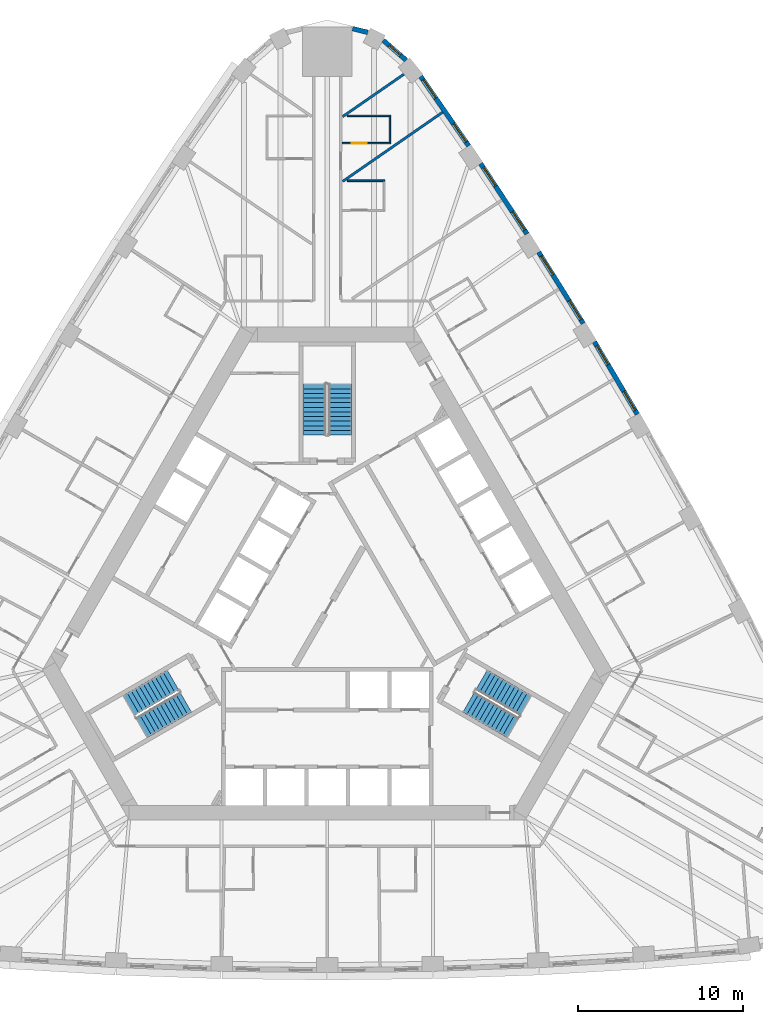
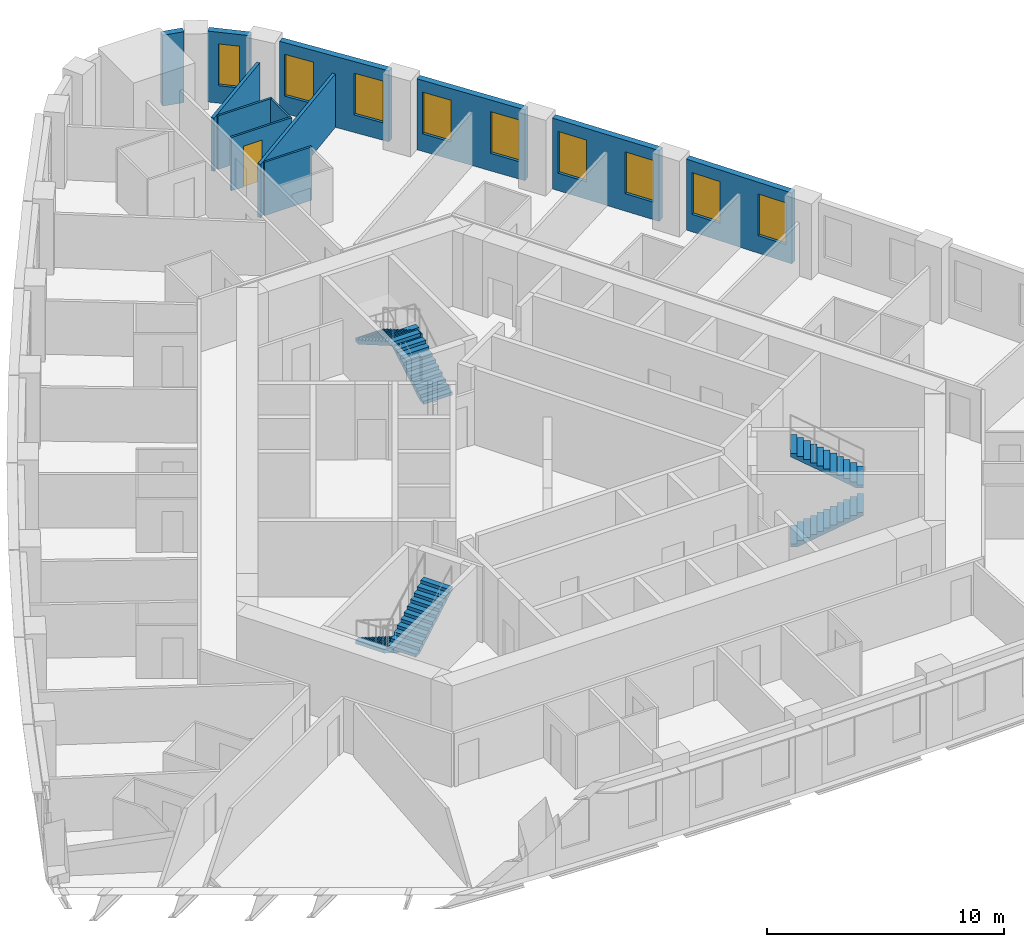
# One storey, part 11 of 12: 12 walls, 9 windows, 6 stair flights, 1 door, 10 openings, 3 elements without a shape of their own.
"""IFC4 building model written with IfcOpenShell, lengths in metres."""

from ifc_helpers import new_model, si_unit, direction, frame, frame_2d, origin, place, context, subcontext, project, spatial, polyline, rectangle, outline, extrude, material, layer, layer_set, type_object, element, fill, aggregate, save


model = new_model("IFC4")

# Units and contexts
model_context = context("Model", 3, precision=1e-05, world=origin(), true_north=direction((0.0, 1.0)))
body_context = subcontext(model_context, "Body", "Model", "MODEL_VIEW")
ifc_project = project(units=[si_unit("LENGTHUNIT", "METRE"), si_unit("AREAUNIT", "SQUARE_METRE"), si_unit("VOLUMEUNIT", "CUBIC_METRE"), si_unit("PLANEANGLEUNIT", "RADIAN"), si_unit("MASSUNIT", "GRAM", prefix="KILO")], contexts=[model_context])

# Site, building, storey
site_placement = place(None, origin())
site = spatial("IfcSite", under=ifc_project, at=site_placement, CompositionType="ELEMENT")
building_placement = place(site_placement, origin())
building = spatial("IfcBuilding", under=site, at=building_placement, Name="Mestral Congress Tower", CompositionType="ELEMENT")
storey_placement = place(building_placement, frame((0.0, 0.0, 107.10009765625)))
storey = spatial("IfcBuildingStorey", under=building, at=storey_placement, Name="L25", CompositionType="ELEMENT", Elevation=107.10009765625)

# Wall, openings, windows
ifc_material_1 = material(Name="Precast concrete C40/50 with limestone facing", Category="masonry")
ifc_layer_1 = layer(ifc_material_1, 0.2900390625)
ifc_layer_set_1 = layer_set([ifc_layer_1], Name="Precast concrete C40/50 with limestone facing")
wall_type_1 = type_object("IfcWallType", Name="Facade stone wall 290", PredefinedType="SOLIDWALL", material=ifc_layer_set_1)
wall_1_placement = place(storey_placement, frame((18.8046875, 11.611083984375, 0.0), z_axis=(0.0, 0.0, 1.0), x_axis=(-0.510054281659, 0.860142214847, 0.0)))
wall_1 = element("IfcWall", 1, at=wall_1_placement, inside=storey, type_object=wall_type_1, Name="Facade wall F1-04", PredefinedType="SOLIDWALL", context=body_context, shape_type="SweptSolid", body=[
    extrude(rectangle(XDim=5.1005859375, YDim=0.2900390625, at=frame_2d((2.55029296875, 0.0))), origin(), (0.0, 0.0, 1.0), 3.64990234375),
])
opening_1_placement = place(wall_1_placement, frame((0.272705078125, 0.0, 0.89990234375)))
opening_1 = element("IfcOpeningElement", 2, at=opening_1_placement, cuts=wall_1, Name="Opening W2", PredefinedType="OPENING", context=body_context, shape_type="SweptSolid", body=[
    extrude(rectangle(XDim=1.35009765625, YDim=2.14990234375, at=frame_2d((0.675048828125, 1.074951171875))), frame((0.0, 0.155029296875, 0.0), z_axis=(0.0, -1.0, 0.0), x_axis=(1.0, 0.0, 0.0)), (0.0, 0.0, 1.0), 0.31005859375),
])
opening_2_placement = place(wall_1_placement, frame((3.477783203125, 0.0, 0.89990234375)))
opening_2 = element("IfcOpeningElement", 3, at=opening_2_placement, cuts=wall_1, Name="Opening W2", PredefinedType="OPENING", context=body_context, shape_type="SweptSolid", body=[
    extrude(rectangle(XDim=1.35009765625, YDim=2.14990234375, at=frame_2d((0.675048828125, 1.074951171875))), frame((0.0, 0.155029296875, 0.0), z_axis=(0.0, -1.0, 0.0), x_axis=(1.0, 0.0, 0.0)), (0.0, 0.0, 1.0), 0.31005859375),
])
ifc_material_2 = material(Name="Clear low-emissivity double glazing", Category="glass")
window_type_1 = type_object("IfcWindowType", Name="Facade punched window 1350 x 2150 sill 900", PartitioningType="DOUBLE_PANEL_VERTICAL", PredefinedType="WINDOW", material=ifc_material_2)
window_1_placement = place(opening_1_placement, origin())
window_1 = element("IfcWindow", 4, at=window_1_placement, inside=storey, type_object=window_type_1, Name="Window F1-04a", OverallHeight=2.14990234375, OverallWidth=1.35009765625, PartitioningType="DOUBLE_PANEL_VERTICAL", PredefinedType="WINDOW", context=body_context, shape_type="SweptSolid", body=[
    extrude(rectangle(XDim=1.35009765625, YDim=2.14990234375, at=frame_2d((0.675048828125, 1.074951171875))), frame((0.0, 0.01513671875, 0.0), z_axis=(0.0, -1.0, 0.0), x_axis=(1.0, 0.0, 0.0)), (0.0, 0.0, 1.0), 0.06005859375),
])
fill(opening_1, window_1)
window_2_placement = place(opening_2_placement, origin())
window_2 = element("IfcWindow", 5, at=window_2_placement, inside=storey, type_object=window_type_1, Name="Window F1-04b", OverallHeight=2.14990234375, OverallWidth=1.35009765625, PartitioningType="DOUBLE_PANEL_VERTICAL", PredefinedType="WINDOW", context=body_context, shape_type="SweptSolid", body=[
    extrude(rectangle(XDim=1.35009765625, YDim=2.14990234375, at=frame_2d((0.675048828125, 1.074951171875))), frame((0.0, 0.01513671875, 0.0), z_axis=(0.0, -1.0, 0.0), x_axis=(1.0, 0.0, 0.0)), (0.0, 0.0, 1.0), 0.06005859375),
])
fill(opening_2, window_2)

wall_2_placement = place(storey_placement, frame((15.523681640625, 17.114013671875, 0.0), z_axis=(0.0, 0.0, 1.0), x_axis=(-0.530072082134, 0.847952585787, 0.0)))
wall_2 = element("IfcWall", 6, at=wall_2_placement, inside=storey, type_object=wall_type_1, Name="Facade wall F1-05", PredefinedType="SOLIDWALL", context=body_context, shape_type="SweptSolid", body=[
    extrude(rectangle(XDim=5.100341796875, YDim=0.2900390625, at=frame_2d((2.55029296875, 0.0))), origin(), (0.0, 0.0, 1.0), 3.64990234375),
])
opening_3_placement = place(wall_2_placement, frame((0.272705078125, 0.0, 0.89990234375)))
opening_3 = element("IfcOpeningElement", 7, at=opening_3_placement, cuts=wall_2, Name="Opening W2", PredefinedType="OPENING", context=body_context, shape_type="SweptSolid", body=[
    extrude(rectangle(XDim=1.35009765625, YDim=2.14990234375, at=frame_2d((0.675048828125, 1.074951171875))), frame((0.0, 0.155029296875, 0.0), z_axis=(0.0, -1.0, 0.0), x_axis=(1.0, 0.0, 0.0)), (0.0, 0.0, 1.0), 0.31005859375),
])
opening_4_placement = place(wall_2_placement, frame((3.477783203125, 0.0, 0.89990234375)))
opening_4 = element("IfcOpeningElement", 8, at=opening_4_placement, cuts=wall_2, Name="Opening W2", PredefinedType="OPENING", context=body_context, shape_type="SweptSolid", body=[
    extrude(rectangle(XDim=1.35009765625, YDim=2.14990234375, at=frame_2d((0.675048828125, 1.074951171875))), frame((0.0, 0.155029296875, 0.0), z_axis=(0.0, -1.0, 0.0), x_axis=(1.0, 0.0, 0.0)), (0.0, 0.0, 1.0), 0.31005859375),
])
window_3_placement = place(opening_3_placement, origin())
window_3 = element("IfcWindow", 9, at=window_3_placement, inside=storey, type_object=window_type_1, Name="Window F1-05a", OverallHeight=2.14990234375, OverallWidth=1.35009765625, PartitioningType="DOUBLE_PANEL_VERTICAL", PredefinedType="WINDOW", context=body_context, shape_type="SweptSolid", body=[
    extrude(rectangle(XDim=1.35009765625, YDim=2.14990234375, at=frame_2d((0.675048828125, 1.074951171875))), frame((0.0, 0.01513671875, 0.0), z_axis=(0.0, -1.0, 0.0), x_axis=(1.0, 0.0, 0.0)), (0.0, 0.0, 1.0), 0.06005859375),
])
fill(opening_3, window_3)
window_4_placement = place(opening_4_placement, origin())
window_4 = element("IfcWindow", 10, at=window_4_placement, inside=storey, type_object=window_type_1, Name="Window F1-05b", OverallHeight=2.14990234375, OverallWidth=1.35009765625, PartitioningType="DOUBLE_PANEL_VERTICAL", PredefinedType="WINDOW", context=body_context, shape_type="SweptSolid", body=[
    extrude(rectangle(XDim=1.35009765625, YDim=2.14990234375, at=frame_2d((0.675048828125, 1.074951171875))), frame((0.0, 0.01513671875, 0.0), z_axis=(0.0, -1.0, 0.0), x_axis=(1.0, 0.0, 0.0)), (0.0, 0.0, 1.0), 0.06005859375),
])
fill(opening_4, window_4)

wall_3_placement = place(storey_placement, frame((12.114501953125, 22.538818359375, 0.0), z_axis=(0.0, 0.0, 1.0), x_axis=(-0.549741341923, 0.835334937005, 0.0)))
wall_3 = element("IfcWall", 11, at=wall_3_placement, inside=storey, type_object=wall_type_1, Name="Facade wall F1-06", PredefinedType="SOLIDWALL", context=body_context, shape_type="SweptSolid", body=[
    extrude(rectangle(XDim=5.10009765625, YDim=0.2900390625, at=frame_2d((2.550048828125, 0.0))), origin(), (0.0, 0.0, 1.0), 3.64990234375),
])
opening_5_placement = place(wall_3_placement, frame((0.272705078125, 0.0, 0.89990234375)))
opening_5 = element("IfcOpeningElement", 12, at=opening_5_placement, cuts=wall_3, Name="Opening W2", PredefinedType="OPENING", context=body_context, shape_type="SweptSolid", body=[
    extrude(rectangle(XDim=1.35009765625, YDim=2.14990234375, at=frame_2d((0.675048828125, 1.074951171875))), frame((0.0, 0.155029296875, 0.0), z_axis=(0.0, -1.0, 0.0), x_axis=(1.0, 0.0, 0.0)), (0.0, 0.0, 1.0), 0.31005859375),
])
opening_6_placement = place(wall_3_placement, frame((3.477783203125, 0.0, 0.89990234375)))
opening_6 = element("IfcOpeningElement", 13, at=opening_6_placement, cuts=wall_3, Name="Opening W2", PredefinedType="OPENING", context=body_context, shape_type="SweptSolid", body=[
    extrude(rectangle(XDim=1.35009765625, YDim=2.14990234375, at=frame_2d((0.675048828125, 1.074951171875))), frame((0.0, 0.155029296875, 0.0), z_axis=(0.0, -1.0, 0.0), x_axis=(1.0, 0.0, 0.0)), (0.0, 0.0, 1.0), 0.31005859375),
])
window_5_placement = place(opening_5_placement, origin())
window_5 = element("IfcWindow", 14, at=window_5_placement, inside=storey, type_object=window_type_1, Name="Window F1-06a", OverallHeight=2.14990234375, OverallWidth=1.35009765625, PartitioningType="DOUBLE_PANEL_VERTICAL", PredefinedType="WINDOW", context=body_context, shape_type="SweptSolid", body=[
    extrude(rectangle(XDim=1.35009765625, YDim=2.14990234375, at=frame_2d((0.675048828125, 1.074951171875))), frame((0.0, 0.01513671875, 0.0), z_axis=(0.0, -1.0, 0.0), x_axis=(1.0, 0.0, 0.0)), (0.0, 0.0, 1.0), 0.06005859375),
])
fill(opening_5, window_5)
window_6_placement = place(opening_6_placement, origin())
window_6 = element("IfcWindow", 15, at=window_6_placement, inside=storey, type_object=window_type_1, Name="Window F1-06b", OverallHeight=2.14990234375, OverallWidth=1.35009765625, PartitioningType="DOUBLE_PANEL_VERTICAL", PredefinedType="WINDOW", context=body_context, shape_type="SweptSolid", body=[
    extrude(rectangle(XDim=1.35009765625, YDim=2.14990234375, at=frame_2d((0.675048828125, 1.074951171875))), frame((0.0, 0.01513671875, 0.0), z_axis=(0.0, -1.0, 0.0), x_axis=(1.0, 0.0, 0.0)), (0.0, 0.0, 1.0), 0.06005859375),
])
fill(opening_6, window_6)

wall_4_placement = place(storey_placement, frame((8.57958984375, 27.882080078125, 0.0), z_axis=(0.0, 0.0, 1.0), x_axis=(-0.569113019126, 0.822259309136, 0.0)))
wall_4 = element("IfcWall", 16, at=wall_4_placement, inside=storey, type_object=wall_type_1, Name="Facade wall F1-07", PredefinedType="SOLIDWALL", context=body_context, shape_type="SweptSolid", body=[
    extrude(rectangle(XDim=5.106689453125, YDim=0.2900390625, at=frame_2d((2.55322265625, 0.0))), origin(), (0.0, 0.0, 1.0), 3.64990234375),
])
opening_7_placement = place(wall_4_placement, frame((0.285400390625, 0.0, 0.89990234375)))
opening_7 = element("IfcOpeningElement", 17, at=opening_7_placement, cuts=wall_4, Name="Opening W2", PredefinedType="OPENING", context=body_context, shape_type="SweptSolid", body=[
    extrude(rectangle(XDim=1.35009765625, YDim=2.14990234375, at=frame_2d((0.675048828125, 1.074951171875))), frame((0.0, 0.155029296875, 0.0), z_axis=(0.0, -1.0, 0.0), x_axis=(1.0, 0.0, 0.0)), (0.0, 0.0, 1.0), 0.31005859375),
])
opening_8_placement = place(wall_4_placement, frame((3.516357421875, 0.0, 0.89990234375)))
opening_8 = element("IfcOpeningElement", 18, at=opening_8_placement, cuts=wall_4, Name="Opening W2", PredefinedType="OPENING", context=body_context, shape_type="SweptSolid", body=[
    extrude(rectangle(XDim=1.35009765625, YDim=2.14990234375, at=frame_2d((0.675048828125, 1.074951171875))), frame((0.0, 0.155029296875, 0.0), z_axis=(0.0, -1.0, 0.0), x_axis=(1.0, 0.0, 0.0)), (0.0, 0.0, 1.0), 0.31005859375),
])
window_7_placement = place(opening_7_placement, origin())
window_7 = element("IfcWindow", 19, at=window_7_placement, inside=storey, type_object=window_type_1, Name="Window F1-07a", OverallHeight=2.14990234375, OverallWidth=1.35009765625, PartitioningType="DOUBLE_PANEL_VERTICAL", PredefinedType="WINDOW", context=body_context, shape_type="SweptSolid", body=[
    extrude(rectangle(XDim=1.35009765625, YDim=2.14990234375, at=frame_2d((0.675048828125, 1.074951171875))), frame((0.0, 0.01513671875, 0.0), z_axis=(0.0, -1.0, 0.0), x_axis=(1.0, 0.0, 0.0)), (0.0, 0.0, 1.0), 0.06005859375),
])
fill(opening_7, window_7)
window_8_placement = place(opening_8_placement, origin())
window_8 = element("IfcWindow", 20, at=window_8_placement, inside=storey, type_object=window_type_1, Name="Window F1-07b", OverallHeight=2.14990234375, OverallWidth=1.35009765625, PartitioningType="DOUBLE_PANEL_VERTICAL", PredefinedType="WINDOW", context=body_context, shape_type="SweptSolid", body=[
    extrude(rectangle(XDim=1.35009765625, YDim=2.14990234375, at=frame_2d((0.675048828125, 1.074951171875))), frame((0.0, 0.01513671875, 0.0), z_axis=(0.0, -1.0, 0.0), x_axis=(1.0, 0.0, 0.0)), (0.0, 0.0, 1.0), 0.06005859375),
])
fill(opening_8, window_8)

# Wall, opening, window
wall_5_placement = place(storey_placement, frame((4.778076171875, 33.08203125, 0.0), z_axis=(0.0, 0.0, 1.0), x_axis=(-0.754882764627, 0.655859749999, 0.0)))
wall_5 = element("IfcWall", 21, at=wall_5_placement, inside=storey, type_object=wall_type_1, Name="Facade wall K1-0", PredefinedType="SOLIDWALL", context=body_context, shape_type="SweptSolid", body=[
    extrude(rectangle(XDim=1.819580078125, YDim=0.2900390625, at=frame_2d((0.90966796875, 0.0))), origin(), (0.0, 0.0, 1.0), 3.64990234375),
])
opening_9_placement = place(wall_5_placement, frame((0.459716796875, 0.0, 0.89990234375)))
opening_9 = element("IfcOpeningElement", 22, at=opening_9_placement, cuts=wall_5, Name="Opening W3", PredefinedType="OPENING", context=body_context, shape_type="SweptSolid", body=[
    extrude(rectangle(XDim=0.89990234375, YDim=2.14990234375, at=frame_2d((0.449951171875, 1.074951171875))), frame((0.0, 0.155029296875, 0.0), z_axis=(0.0, -1.0, 0.0), x_axis=(1.0, 0.0, 0.0)), (0.0, 0.0, 1.0), 0.31005859375),
])
window_type_2 = type_object("IfcWindowType", Name="Facade punched window 900 x 2150 sill 900", PartitioningType="SINGLE_PANEL", PredefinedType="WINDOW", material=ifc_material_2)
window_9_placement = place(opening_9_placement, origin())
window_9 = element("IfcWindow", 23, at=window_9_placement, inside=storey, type_object=window_type_2, Name="Window K1-0", OverallHeight=2.14990234375, OverallWidth=0.89990234375, PartitioningType="SINGLE_PANEL", PredefinedType="WINDOW", context=body_context, shape_type="SweptSolid", body=[
    extrude(rectangle(XDim=0.89990234375, YDim=2.14990234375, at=frame_2d((0.449951171875, 1.074951171875))), frame((0.0, 0.01513671875, 0.0), z_axis=(0.0, -1.0, 0.0), x_axis=(1.0, 0.0, 0.0)), (0.0, 0.0, 1.0), 0.06005859375),
])
fill(opening_9, window_9)

# Walls
wall_6_placement = place(storey_placement, frame((2.455322265625, 34.765625, 0.0), z_axis=(0.0, 0.0, 1.0), x_axis=(-0.971713991574, 0.236160789674, 0.0)))
element("IfcWall", 24, at=wall_6_placement, inside=storey, type_object=wall_type_1, Name="Facade wall K1-1", PredefinedType="SOLIDWALL", context=body_context, shape_type="SweptSolid", body=[
    extrude(rectangle(XDim=0.947021484375, YDim=0.2900390625, at=frame_2d((0.4736328125, 0.0))), origin(), (0.0, 0.0, 1.0), 3.64990234375),
])
ifc_material_3 = material(Name="Gypsum board partition on metal studs with mineral wool", Category="composite")
ifc_layer_2 = layer(ifc_material_3, 0.10009765625)
ifc_layer_set_2 = layer_set([ifc_layer_2], Name="Gypsum board partition on metal studs with mineral wool")
wall_type_2 = type_object("IfcWallType", Name="Hotel partition wall 100", PredefinedType="PARTITIONING", material=ifc_layer_set_2)
wall_7_placement = place(storey_placement, frame((1.199951171875, 25.76904296875, 0.0), z_axis=(0.0, 0.0, 1.0), x_axis=(1.0, 0.0, 0.0)))
element("IfcWall", 25, at=wall_7_placement, inside=storey, type_object=wall_type_2, Name="L25-h-pod15c", PredefinedType="PARTITIONING", context=body_context, shape_type="SweptSolid", body=[
    extrude(rectangle(XDim=2.300048828125, YDim=0.10009765625, at=frame_2d((1.14990234375, 0.0))), origin(), (0.0, 0.0, 1.0), 2.75),
])

# Wall, opening, door
wall_8_placement = place(storey_placement, frame((0.89990234375, 28.048095703125, 0.0), z_axis=(0.0, 0.0, 1.0), x_axis=(1.0, 0.0, 0.0)))
wall_8 = element("IfcWall", 26, at=wall_8_placement, inside=storey, type_object=wall_type_2, Name="L25-h-pod16a", PredefinedType="PARTITIONING", context=body_context, shape_type="SweptSolid", body=[
    extrude(rectangle(XDim=2.9501953125, YDim=0.10009765625, at=frame_2d((1.47509765625, 0.0))), origin(), (0.0, 0.0, 1.0), 2.75),
])
opening_10_placement = place(wall_8_placement, frame((0.60009765625, 0.0, 0.0)))
opening_10 = element("IfcOpeningElement", 27, at=opening_10_placement, cuts=wall_8, Name="Opening H08-028", PredefinedType="OPENING", context=body_context, shape_type="SweptSolid", body=[
    extrude(rectangle(XDim=0.89990234375, YDim=2.10009765625, at=frame_2d((0.449951171875, 1.050048828125))), frame((0.0, 0.06005859375, 0.0), z_axis=(0.0, -1.0, 0.0), x_axis=(1.0, 0.0, 0.0)), (0.0, 0.0, 1.0), 0.1201171875),
])
ifc_material_4 = material(Name="Timber veneer door leaf in timber frame", Category="wood")
door_type = type_object("IfcDoorType", Name="Bathroom door 900", OperationType="SINGLE_SWING_LEFT", PredefinedType="DOOR", material=ifc_material_4)
door_placement = place(opening_10_placement, origin())
door = element("IfcDoor", 28, at=door_placement, inside=storey, type_object=door_type, Name="L25-h-d028", OperationType="SINGLE_SWING_LEFT", OverallHeight=2.10009765625, OverallWidth=0.89990234375, PredefinedType="DOOR", context=body_context, shape_type="SweptSolid", body=[
    extrude(rectangle(XDim=0.89990234375, YDim=2.10009765625, at=frame_2d((0.449951171875, 1.050048828125))), frame((0.0, 0.02490234375, 0.0), z_axis=(0.0, -1.0, 0.0), x_axis=(1.0, 0.0, 0.0)), (0.0, 0.0, 1.0), 0.050048828125),
])
fill(opening_10, door)

# Walls
wall_9_placement = place(storey_placement, frame((3.800048828125, 28.09814453125, 0.0), z_axis=(0.0, 0.0, 1.0), x_axis=(0.0, 1.0, 0.0)))
element("IfcWall", 29, at=wall_9_placement, inside=storey, type_object=wall_type_2, Name="L25-h-pod16b", PredefinedType="PARTITIONING", context=body_context, shape_type="SweptSolid", body=[
    extrude(rectangle(XDim=1.550048828125, YDim=0.10009765625, at=frame_2d((0.77490234375, 0.0))), origin(), (0.0, 0.0, 1.0), 2.75),
])
wall_10_placement = place(storey_placement, frame((1.199951171875, 29.697998046875, 0.0), z_axis=(0.0, 0.0, 1.0), x_axis=(1.0, 0.0, 0.0)))
element("IfcWall", 30, at=wall_10_placement, inside=storey, type_object=wall_type_2, Name="L25-h-pod16c", PredefinedType="PARTITIONING", context=body_context, shape_type="SweptSolid", body=[
    extrude(rectangle(XDim=2.650146484375, YDim=0.10009765625, at=frame_2d((1.3251953125, 0.0))), origin(), (0.0, 0.0, 1.0), 2.75),
])
ifc_layer_3 = layer(ifc_material_3, 0.14990234375)
ifc_layer_set_3 = layer_set([ifc_layer_3], Name="Gypsum board partition on metal studs with mineral wool")
wall_type_3 = type_object("IfcWallType", Name="Hotel partition wall 150", PredefinedType="PARTITIONING", material=ifc_layer_set_3)
wall_11_placement = place(storey_placement, frame((6.994384765625, 29.91748046875, 0.0), z_axis=(0.0, 0.0, 1.0), x_axis=(-0.822255462494, -0.569118576747, 0.0)))
element("IfcWall", 31, at=wall_11_placement, inside=storey, type_object=wall_type_3, Name="L25-h-pw14", PredefinedType="PARTITIONING", context=body_context, shape_type="SweptSolid", body=[
    extrude(rectangle(XDim=7.36181640625, YDim=0.14990234375, at=frame_2d((3.680908203125, 0.0))), origin(), (0.0, 0.0, 1.0), 2.75),
])
wall_12_placement = place(storey_placement, frame((4.649169921875, 32.223388671875, 0.0), z_axis=(0.0, 0.0, 1.0), x_axis=(-0.822262349475, -0.569108626394, 0.0)))
element("IfcWall", 32, at=wall_12_placement, inside=storey, type_object=wall_type_3, Name="L25-h-pw17", PredefinedType="PARTITIONING", context=body_context, shape_type="SweptSolid", body=[
    extrude(rectangle(XDim=4.509521484375, YDim=0.14990234375, at=frame_2d((2.2548828125, 0.0))), origin(), (0.0, 0.0, 1.0), 2.75),
])

# Stair, stair flights
ifc_material_5 = material(Name="Concrete C60/75", Category="concrete")
stair_type = type_object("IfcStairType", Name="Exit stair 1400", PredefinedType="HALF_TURN_STAIR", material=ifc_material_5)
placement = place(storey_placement, origin())
stair_1 = element("IfcStair", 33, at=placement, inside=storey, type_object=stair_type, Name="L25 ST1", PredefinedType="HALF_TURN_STAIR")
stair_flight_type = type_object("IfcStairFlightType", Name="Exit stair flight 1400", PredefinedType="STRAIGHT", material=ifc_material_5)
stair_flight_1_placement = place(storey_placement, frame((8.575927734375, -5.84619140625, 0.0), z_axis=(0.0, 0.0, 1.0), x_axis=(0.866025403784, -0.5, 0.0)))
stair_flight_1 = element("IfcStairFlight", 34, at=stair_flight_1_placement, type_object=stair_flight_type, Name="ST1 flight 1", NumberOfRisers=12, NumberOfTreads=11, PredefinedType="STRAIGHT", RiserHeight=0.1625, TreadLength=0.28, context=body_context, shape_type="SweptSolid", body=[
    extrude(outline(polyline([(0.0, 0.0), (0.0, 0.16259765625), (0.280029296875, 0.16259765625), (0.280029296875, 0.324951171875), (0.56005859375, 0.324951171875), (0.56005859375, 0.487548828125), (0.840087890625, 0.487548828125), (0.840087890625, 0.64990234375), (1.1201171875, 0.64990234375), (1.1201171875, 0.8125), (1.39990234375, 0.8125), (1.39990234375, 0.97509765625), (1.679931640625, 0.97509765625), (1.679931640625, 1.137451171875), (1.9599609375, 1.137451171875), (1.9599609375, 1.300048828125), (2.239990234375, 1.300048828125), (2.239990234375, 1.46240234375), (2.52001953125, 1.46240234375), (2.52001953125, 1.625), (2.800048828125, 1.625), (2.800048828125, 1.78759765625), (3.080078125, 1.78759765625), (3.080078125, 1.949951171875), (3.080078125, 1.6142578125), (0.298583984375, 0.0), (0.0, 0.0)])), frame((0.0, 0.699951171875, 0.0), z_axis=(0.0, -1.0, 0.0), x_axis=(1.0, 0.0, 0.0)), (0.0, 0.0, 1.0), 1.39990234375),
])
stair_flight_2_placement = place(storey_placement, frame((12.018310546875, -6.0439453125, 1.949951171875), z_axis=(0.0, 0.0, 1.0), x_axis=(-0.866025403784, 0.5, 0.0)))
stair_flight_2 = element("IfcStairFlight", 35, at=stair_flight_2_placement, type_object=stair_flight_type, Name="ST1 flight 2", NumberOfRisers=12, NumberOfTreads=11, PredefinedType="STRAIGHT", RiserHeight=0.1625, TreadLength=0.28, context=body_context, shape_type="SweptSolid", body=[
    extrude(outline(polyline([(0.0, 0.0), (0.0, 0.16259765625), (0.280029296875, 0.16259765625), (0.280029296875, 0.324951171875), (0.56005859375, 0.324951171875), (0.56005859375, 0.487548828125), (0.840087890625, 0.487548828125), (0.840087890625, 0.64990234375), (1.1201171875, 0.64990234375), (1.1201171875, 0.8125), (1.39990234375, 0.8125), (1.39990234375, 0.97509765625), (1.679931640625, 0.97509765625), (1.679931640625, 1.137451171875), (1.9599609375, 1.137451171875), (1.9599609375, 1.300048828125), (2.239990234375, 1.300048828125), (2.239990234375, 1.46240234375), (2.52001953125, 1.46240234375), (2.52001953125, 1.625), (2.800048828125, 1.625), (2.800048828125, 1.78759765625), (3.080078125, 1.78759765625), (3.080078125, 1.949951171875), (3.080078125, 1.6142578125), (0.298583984375, 0.0), (0.0, 0.0)])), frame((0.0, 0.699951171875, 0.0), z_axis=(0.0, -1.0, 0.0), x_axis=(1.0, 0.0, 0.0)), (0.0, 0.0, 1.0), 1.39990234375),
])
aggregate(stair_1, [stair_flight_1, stair_flight_2])

stair_2 = element("IfcStair", 36, at=placement, inside=storey, type_object=stair_type, Name="L25 ST2", PredefinedType="HALF_TURN_STAIR")
stair_flight_3_placement = place(storey_placement, frame((0.77490234375, 10.35009765625, 0.0), z_axis=(0.0, 0.0, 1.0), x_axis=(0.0, 1.0, 0.0)))
stair_flight_3 = element("IfcStairFlight", 37, at=stair_flight_3_placement, type_object=stair_flight_type, Name="ST2 flight 1", NumberOfRisers=12, NumberOfTreads=11, PredefinedType="STRAIGHT", RiserHeight=0.1625, TreadLength=0.28, context=body_context, shape_type="SweptSolid", body=[
    extrude(outline(polyline([(0.0, 0.0), (0.0, 0.16259765625), (0.280029296875, 0.16259765625), (0.280029296875, 0.324951171875), (0.56005859375, 0.324951171875), (0.56005859375, 0.487548828125), (0.840087890625, 0.487548828125), (0.840087890625, 0.64990234375), (1.1201171875, 0.64990234375), (1.1201171875, 0.8125), (1.39990234375, 0.8125), (1.39990234375, 0.97509765625), (1.679931640625, 0.97509765625), (1.679931640625, 1.137451171875), (1.9599609375, 1.137451171875), (1.9599609375, 1.300048828125), (2.239990234375, 1.300048828125), (2.239990234375, 1.46240234375), (2.52001953125, 1.46240234375), (2.52001953125, 1.625), (2.800048828125, 1.625), (2.800048828125, 1.78759765625), (3.080078125, 1.78759765625), (3.080078125, 1.949951171875), (3.080078125, 1.6142578125), (0.298583984375, 0.0), (0.0, 0.0)])), frame((0.0, 0.699951171875, 0.0), z_axis=(0.0, -1.0, 0.0), x_axis=(1.0, 0.0, 0.0)), (0.0, 0.0, 1.0), 1.39990234375),
])
stair_flight_4_placement = place(storey_placement, frame((-0.77490234375, 13.429931640625, 1.949951171875), z_axis=(0.0, 0.0, 1.0), x_axis=(0.0, -1.0, 0.0)))
stair_flight_4 = element("IfcStairFlight", 38, at=stair_flight_4_placement, type_object=stair_flight_type, Name="ST2 flight 2", NumberOfRisers=12, NumberOfTreads=11, PredefinedType="STRAIGHT", RiserHeight=0.1625, TreadLength=0.28, context=body_context, shape_type="SweptSolid", body=[
    extrude(outline(polyline([(0.0, 0.0), (0.0, 0.16259765625), (0.280029296875, 0.16259765625), (0.280029296875, 0.324951171875), (0.56005859375, 0.324951171875), (0.56005859375, 0.487548828125), (0.840087890625, 0.487548828125), (0.840087890625, 0.64990234375), (1.1201171875, 0.64990234375), (1.1201171875, 0.8125), (1.39990234375, 0.8125), (1.39990234375, 0.97509765625), (1.679931640625, 0.97509765625), (1.679931640625, 1.137451171875), (1.9599609375, 1.137451171875), (1.9599609375, 1.300048828125), (2.239990234375, 1.300048828125), (2.239990234375, 1.46240234375), (2.52001953125, 1.46240234375), (2.52001953125, 1.625), (2.800048828125, 1.625), (2.800048828125, 1.78759765625), (3.080078125, 1.78759765625), (3.080078125, 1.949951171875), (3.080078125, 1.6142578125), (0.298583984375, 0.0), (0.0, 0.0)])), frame((0.0, 0.699951171875, 0.0), z_axis=(0.0, -1.0, 0.0), x_axis=(1.0, 0.0, 0.0)), (0.0, 0.0, 1.0), 1.39990234375),
])
aggregate(stair_2, [stair_flight_3, stair_flight_4])

stair_3 = element("IfcStair", 39, at=placement, inside=storey, type_object=stair_type, Name="L25 ST3", PredefinedType="HALF_TURN_STAIR")
stair_flight_5_placement = place(storey_placement, frame((-9.350830078125, -4.50390625, 0.0), z_axis=(0.0, 0.0, 1.0), x_axis=(-0.866025403784, -0.5, 0.0)))
stair_flight_5 = element("IfcStairFlight", 40, at=stair_flight_5_placement, type_object=stair_flight_type, Name="ST3 flight 1", NumberOfRisers=12, NumberOfTreads=11, PredefinedType="STRAIGHT", RiserHeight=0.1625, TreadLength=0.28, context=body_context, shape_type="SweptSolid", body=[
    extrude(outline(polyline([(0.0, 0.0), (0.0, 0.16259765625), (0.280029296875, 0.16259765625), (0.280029296875, 0.324951171875), (0.56005859375, 0.324951171875), (0.56005859375, 0.487548828125), (0.840087890625, 0.487548828125), (0.840087890625, 0.64990234375), (1.1201171875, 0.64990234375), (1.1201171875, 0.8125), (1.39990234375, 0.8125), (1.39990234375, 0.97509765625), (1.679931640625, 0.97509765625), (1.679931640625, 1.137451171875), (1.9599609375, 1.137451171875), (1.9599609375, 1.300048828125), (2.239990234375, 1.300048828125), (2.239990234375, 1.46240234375), (2.52001953125, 1.46240234375), (2.52001953125, 1.625), (2.800048828125, 1.625), (2.800048828125, 1.78759765625), (3.080078125, 1.78759765625), (3.080078125, 1.949951171875), (3.080078125, 1.6142578125), (0.298583984375, 0.0), (0.0, 0.0)])), frame((0.0, 0.699951171875, 0.0), z_axis=(0.0, -1.0, 0.0), x_axis=(1.0, 0.0, 0.0)), (0.0, 0.0, 1.0), 1.39990234375),
])
stair_flight_6_placement = place(storey_placement, frame((-11.2431640625, -7.38623046875, 1.949951171875), z_axis=(0.0, 0.0, 1.0), x_axis=(0.866025403784, 0.5, 0.0)))
stair_flight_6 = element("IfcStairFlight", 41, at=stair_flight_6_placement, type_object=stair_flight_type, Name="ST3 flight 2", NumberOfRisers=12, NumberOfTreads=11, PredefinedType="STRAIGHT", RiserHeight=0.1625, TreadLength=0.28, context=body_context, shape_type="SweptSolid", body=[
    extrude(outline(polyline([(0.0, 0.0), (0.0, 0.16259765625), (0.280029296875, 0.16259765625), (0.280029296875, 0.324951171875), (0.56005859375, 0.324951171875), (0.56005859375, 0.487548828125), (0.840087890625, 0.487548828125), (0.840087890625, 0.64990234375), (1.1201171875, 0.64990234375), (1.1201171875, 0.8125), (1.39990234375, 0.8125), (1.39990234375, 0.97509765625), (1.679931640625, 0.97509765625), (1.679931640625, 1.137451171875), (1.9599609375, 1.137451171875), (1.9599609375, 1.300048828125), (2.239990234375, 1.300048828125), (2.239990234375, 1.46240234375), (2.52001953125, 1.46240234375), (2.52001953125, 1.625), (2.800048828125, 1.625), (2.800048828125, 1.78759765625), (3.080078125, 1.78759765625), (3.080078125, 1.949951171875), (3.080078125, 1.6142578125), (0.298583984375, 0.0), (0.0, 0.0)])), frame((0.0, 0.699951171875, 0.0), z_axis=(0.0, -1.0, 0.0), x_axis=(1.0, 0.0, 0.0)), (0.0, 0.0, 1.0), 1.39990234375),
])
aggregate(stair_3, [stair_flight_5, stair_flight_6])

save(model, "model.ifc")
